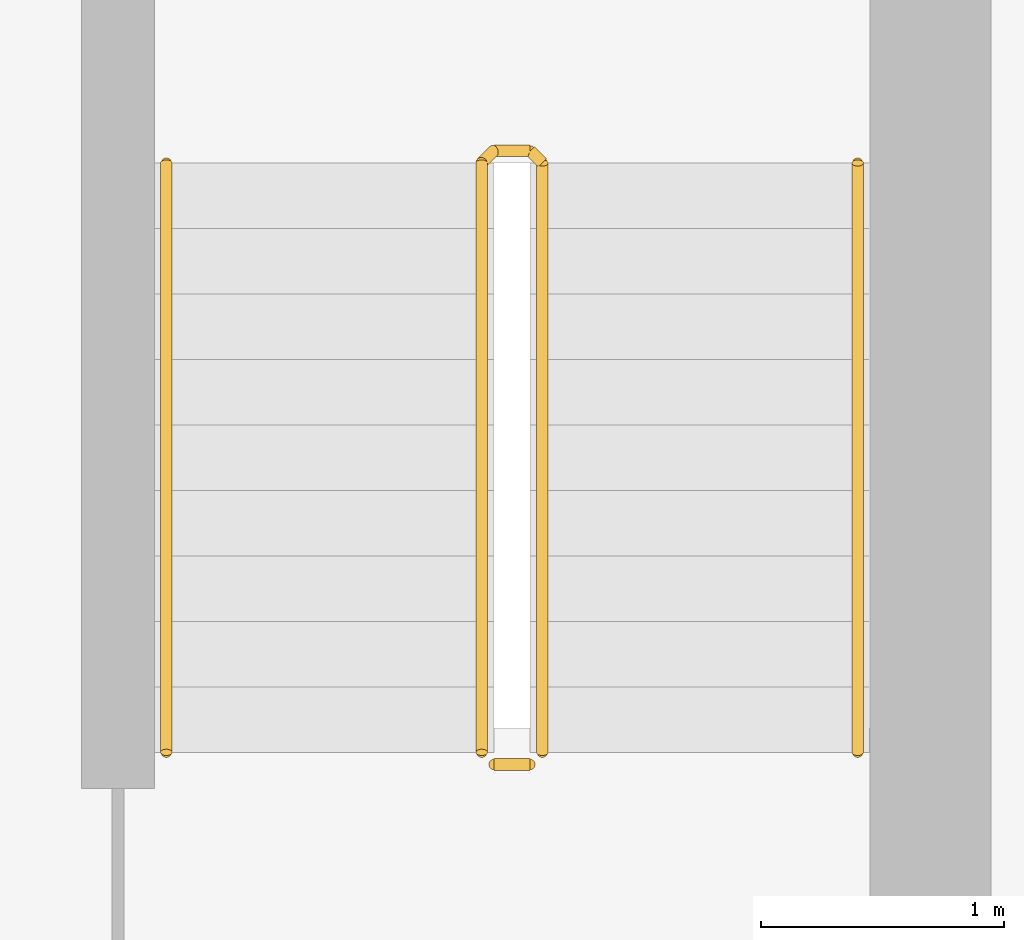
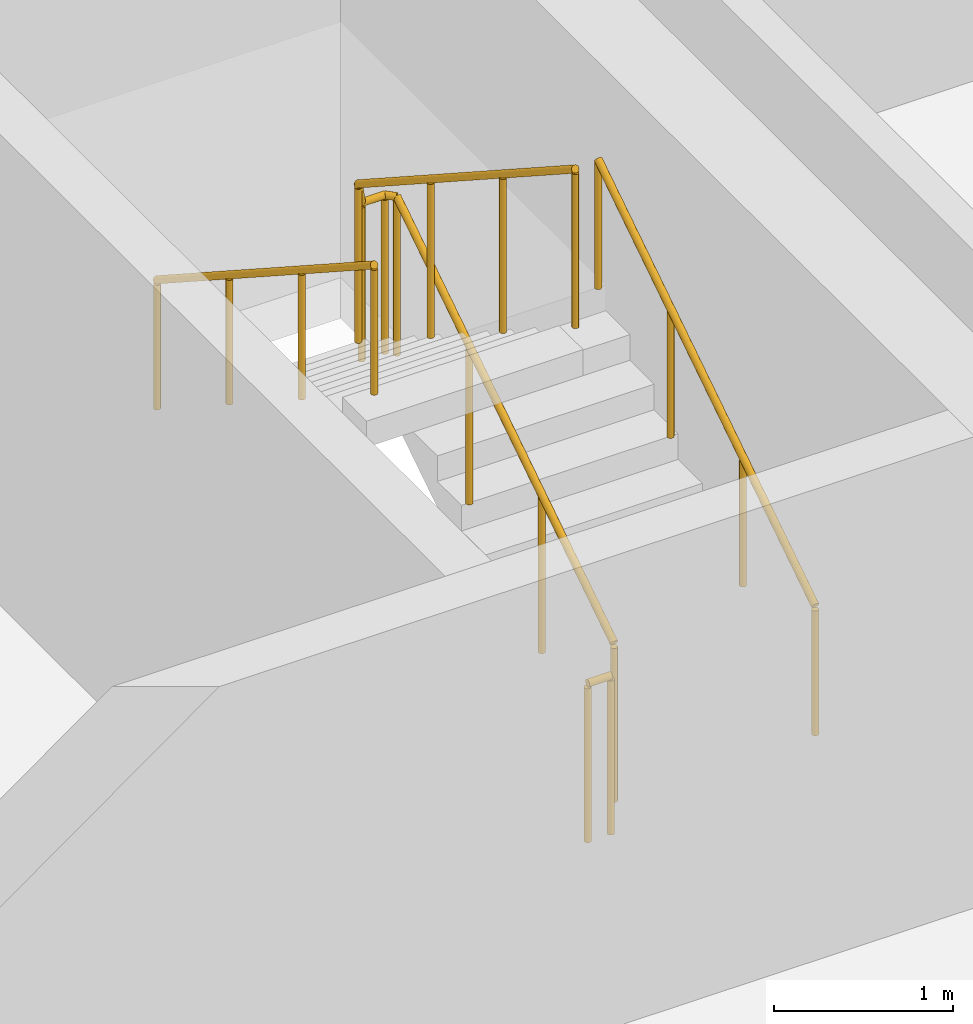
# One storey, part 15 of 18: 4 railings.
"""IFC4 building model written with IfcOpenShell, lengths in metres."""

import ifcopenshell
import ifcopenshell.guid

model = None  # the IFC model being written
_history = None  # IfcOwnerHistory: only IFC2X3 demands one
_inside = {}  # id of a spatial element -> (the spatial element, [elements in it])
_under = {}  # id of a project, library or spatial element -> (it, [spatial elements below it])
_declared = {}  # id of a project -> (the project, [libraries it declares])
_typed = {}  # id of a type object -> (the type object, [elements of that type])
_made_of = {}  # id of a material, layer set ... -> (it, [elements and type objects made of it])


def new_model(schema):
    """Start an empty IFC model of exactly this schema.

    Asked for "IFC4X3", IfcOpenShell would pick the latest addendum, in which some entities
    have other attributes; the version numbers below select the first issue.
    IFC2X3 requires an IfcOwnerHistory on every rooted entity: one is made here for all.
    """
    global model, _history
    if schema == "IFC4X3":
        model = ifcopenshell.file(schema_version=(4, 3, 0, 0))
    else:
        model = ifcopenshell.file(schema=schema)
    _inside.clear()
    _under.clear()
    _declared.clear()
    _typed.clear()
    _made_of.clear()
    _history = None
    if model.schema == "IFC2X3":
        org = make("IfcOrganization", Name="unknown")
        user = make(
            "IfcPersonAndOrganization",
            ThePerson=make("IfcPerson", FamilyName="unknown"),
            TheOrganization=org,
        )
        app = make(
            "IfcApplication",
            ApplicationDeveloper=org,
            Version="unknown",
            ApplicationFullName="unknown",
            ApplicationIdentifier="unknown",
        )
        _history = make(
            "IfcOwnerHistory",
            OwningUser=user,
            OwningApplication=app,
            ChangeAction="ADDED",
            CreationDate=0,
        )
    return model


def make(cls, **values):
    """One entity of the class cls with the attributes given. An attribute that is None is left unset."""
    return model.create_entity(
        cls, **{name: value for name, value in values.items() if value is not None}
    )


def rooted(cls, **values):
    """An entity with a GlobalId (a new one), such as an element, a storey or a relation."""
    return make(cls, GlobalId=ifcopenshell.guid.new(), OwnerHistory=_history, **values)


def si_unit(unit_type, name, prefix=None):
    """IfcSIUnit, for example si_unit("LENGTHUNIT", "METRE", prefix="MILLI")."""
    return make("IfcSIUnit", UnitType=unit_type, Prefix=prefix, Name=name)


def assignment(units):
    """IfcUnitAssignment: the units of a project."""
    return None if units is None else make("IfcUnitAssignment", Units=units)


def point(xyz):
    """IfcCartesianPoint."""
    return None if xyz is None else make("IfcCartesianPoint", Coordinates=xyz)


def direction(xyz):
    """IfcDirection."""
    return None if xyz is None else make("IfcDirection", DirectionRatios=xyz)


def frame(location, z_axis=None, x_axis=None):
    """IfcAxis2Placement3D, a coordinate frame: its origin and axes. An axis left out is left unset."""
    return make(
        "IfcAxis2Placement3D",
        Location=point(location),
        Axis=direction(z_axis),
        RefDirection=direction(x_axis),
    )


def frame_2d(location, x_axis=None):
    """IfcAxis2Placement2D, a coordinate frame in the plane: its origin and x axis."""
    return make(
        "IfcAxis2Placement2D", Location=point(location), RefDirection=direction(x_axis)
    )


def origin():
    """The frame at (0, 0, 0) with its axes left unset."""
    return frame((0.0, 0.0, 0.0))


def origin_2d():
    """The frame at (0, 0) in the plane with its x axis left unset."""
    return frame_2d((0.0, 0.0))


def place(relative_to, where):
    """IfcLocalPlacement: puts the frame where relative to a parent placement (None: the world)."""
    return make(
        "IfcLocalPlacement", PlacementRelTo=relative_to, RelativePlacement=where
    )


def context(
    kind, dimensions, precision=None, world=None, true_north=None, identifier=None
):
    """IfcGeometricRepresentationContext, for example the 3D "Model" context."""
    return make(
        "IfcGeometricRepresentationContext",
        ContextIdentifier=identifier,
        ContextType=kind,
        CoordinateSpaceDimension=dimensions,
        Precision=precision,
        WorldCoordinateSystem=world,
        TrueNorth=true_north,
    )


def subcontext(parent, identifier, kind, view, scale=None):
    """IfcGeometricRepresentationSubContext, for example "Body" below "Model"."""
    return make(
        "IfcGeometricRepresentationSubContext",
        ContextIdentifier=identifier,
        ContextType=kind,
        ParentContext=parent,
        TargetScale=scale,
        TargetView=view,
    )


def project(units=None, contexts=None):
    """IfcProject with its units and contexts."""
    return rooted(
        "IfcProject",
        Name="project",
        RepresentationContexts=contexts,
        UnitsInContext=assignment(units),
    )


def spatial(cls, under=None, at=None, **own):
    """A site, building, storey or space (cls), placed at a placement, below another one or the project."""
    s = rooted(cls, ObjectPlacement=at, **own)
    if under is not None:
        _under.setdefault(under.id(), (under, []))[1].append(s)
    return s


def profile(cls, at=None, kind="AREA", **sizes):
    """A parametric profile (cls). Its sizes go by their IFC names, for example OverallWidth=200.0."""
    return make(cls, ProfileType=kind, Position=at, **sizes)


def circle(**sizes):
    """IfcCircleProfileDef."""
    return profile("IfcCircleProfileDef", **sizes)


def extrude(swept, where, along, depth):
    """IfcExtrudedAreaSolid: the profile swept, set in the frame where, extruded along a direction by depth."""
    return make(
        "IfcExtrudedAreaSolid",
        SweptArea=swept,
        Position=where,
        ExtrudedDirection=direction(along),
        Depth=depth,
    )


def shape(context_of_items, identifier, shape_type, items):
    """IfcShapeRepresentation: the items that make up one representation, for example the "Body"."""
    return make(
        "IfcShapeRepresentation",
        ContextOfItems=context_of_items,
        RepresentationIdentifier=identifier,
        RepresentationType=shape_type,
        Items=items,
    )


def material(Name=None, Category=None):
    """IfcMaterial."""
    return make("IfcMaterial", Name=Name, Category=Category)


def made_of(thing, what):
    """Note that an element or type object is made of a material, layer set ...; save() writes the relation."""
    if what is not None:
        _made_of.setdefault(what.id(), (what, []))[1].append(thing)
    return thing


def type_object(cls, material=None, **own):
    """A type object (cls), such as IfcWallType, which elements share."""
    return made_of(rooted(cls, **own), material)


def element(
    cls,
    number,
    at=None,
    inside=None,
    cuts=None,
    type_object=None,
    material=None,
    context=None,
    identifier="Body",
    shape_type=None,
    held_by="IfcProductDefinitionShape",
    body=None,
    shapes=None,
    **own,
):
    """One element of the class cls, such as IfcWall. Its Tag is "e" and its number.

    at: its placement. inside: the storey or other place that contains it. cuts: it is an
    opening in that element (IfcRelVoidsElement). A single representation is given by context,
    identifier, shape_type and body (its items); several are given by shapes. held_by: the class
    of the entity that holds the representations. save() writes the other relations.
    """
    e = rooted(cls, Tag="e%d" % number, ObjectPlacement=at, **own)
    if body is not None:
        shapes = [shape(context, identifier, shape_type, body)]
    if shapes is not None:
        e.Representation = make(held_by, Representations=shapes)
    if inside is not None:
        _inside.setdefault(inside.id(), (inside, []))[1].append(e)
    if cuts is not None:
        rooted(
            "IfcRelVoidsElement", RelatingBuildingElement=cuts, RelatedOpeningElement=e
        )
    if type_object is not None:
        _typed.setdefault(type_object.id(), (type_object, []))[1].append(e)
    return made_of(e, material)


def aggregate(whole, parts):
    """IfcRelAggregates: a whole, such as a stair, and the parts it consists of."""
    return rooted("IfcRelAggregates", RelatingObject=whole, RelatedObjects=parts)


def save(model, path):
    """Write the relations noted so far, then the file.

    IfcRelAggregates (storeys below a building ...), IfcRelContainedInSpatialStructure (elements
    in a storey), IfcRelDefinesByType, IfcRelAssociatesMaterial and IfcRelDeclares: one each for
    every whole, place, type object, material and project.
    """
    for whole, parts in _under.values():
        aggregate(whole, parts)
    for where, things in _inside.values():
        rooted(
            "IfcRelContainedInSpatialStructure",
            RelatedElements=things,
            RelatingStructure=where,
        )
    for kind, things in _typed.values():
        rooted("IfcRelDefinesByType", RelatedObjects=things, RelatingType=kind)
    for what, things in _made_of.values():
        rooted("IfcRelAssociatesMaterial", RelatedObjects=things, RelatingMaterial=what)
    for by, libraries in _declared.values():
        rooted("IfcRelDeclares", RelatingContext=by, RelatedDefinitions=libraries)
    model.write(path)


model = new_model("IFC4")

# Units and contexts
model_context = context("Model", 3, precision=1e-05, world=origin(), true_north=direction((0.0, 1.0)))
body_context = subcontext(model_context, "Body", "Model", "MODEL_VIEW")
ifc_project = project(units=[si_unit("LENGTHUNIT", "METRE"), si_unit("AREAUNIT", "SQUARE_METRE"), si_unit("VOLUMEUNIT", "CUBIC_METRE"), si_unit("PLANEANGLEUNIT", "RADIAN"), si_unit("MASSUNIT", "GRAM", prefix="KILO")], contexts=[model_context])

# Site, building, storey
site_placement = place(None, origin())
site = spatial("IfcSite", under=ifc_project, at=site_placement, CompositionType="ELEMENT")
building_placement = place(site_placement, origin())
building = spatial("IfcBuilding", under=site, at=building_placement, Name="Saffron Iwan Residences", CompositionType="ELEMENT")
storey_placement = place(building_placement, frame((0.0, 0.0, 257.0)))
storey = spatial("IfcBuildingStorey", under=building, at=storey_placement, Name="L69", CompositionType="ELEMENT", Elevation=257.0)

# Railings
ifc_material_1 = material(Name="Steel S355", Category="steel")
railing_type_1 = type_object("IfcRailingType", Name="Stair guard 1100", PredefinedType="GUARDRAIL", material=ifc_material_1)
railing_1_placement = place(storey_placement, frame((69.75, 67.85009765625, 0.175048828125)))
element("IfcRailing", 1, at=railing_1_placement, inside=storey, type_object=railing_type_1, Name="L69 ST-E stair guard 1", PredefinedType="GUARDRAIL", context=body_context, shape_type="SweptSolid", body=[
    extrude(circle(Radius=0.02392578125, at=origin_2d()), frame((0.0, 0.0, 1.076171875), z_axis=(0.0, 0.839153699163, 0.543894354798), x_axis=(-1.0, 0.0, 0.0)), (0.0, 0.0, 1.0), 2.895751953125),
    extrude(circle(Radius=0.02392578125, at=origin_2d()), frame((0.0, 2.429931640625, 2.65087890625), z_axis=(-0.707106781187, 0.707106781187, 0.0), x_axis=(-0.707106781187, -0.707106781187, 0.0)), (0.0, 0.0, 1.0), 0.07080078125),
    extrude(circle(Radius=0.02392578125, at=origin_2d()), frame((-0.050048828125, 2.47998046875, 2.65087890625), z_axis=(-1.0, 0.0, 0.0), x_axis=(0.0, -1.0, 0.0)), (0.0, 0.0, 1.0), 0.14990234375),
    extrude(circle(Radius=0.02392578125, at=origin_2d()), frame((-0.199951171875, 2.47998046875, 2.65087890625), z_axis=(-0.265065253269, -0.265065253269, 0.927081885822), x_axis=(0.707106781187, -0.707106781187, 0.0)), (0.0, 0.0, 1.0), 0.188720703125),
    extrude(circle(Radius=0.02392578125, at=origin_2d()), frame((-0.25, 2.429931640625, 2.826171875), z_axis=(0.0, -0.839153699163, 0.543894354798), x_axis=(1.0, 0.0, 0.0)), (0.0, 0.0, 1.0), 2.895751953125),
    extrude(circle(Radius=0.02099609375, at=origin_2d()), origin(), (0.0, 0.0, 1.0), 1.052001953125),
    extrude(circle(Radius=0.02099609375, at=origin_2d()), frame((0.0, 0.81005859375, 0.52490234375)), (0.0, 0.0, 1.0), 1.052001953125),
    extrude(circle(Radius=0.02099609375, at=origin_2d()), frame((0.0, 1.619873046875, 1.050048828125)), (0.0, 0.0, 1.0), 1.052001953125),
    extrude(circle(Radius=0.02099609375, at=origin_2d()), frame((0.0, 2.429931640625, 1.574951171875)), (0.0, 0.0, 1.0), 1.052001953125),
    extrude(circle(Radius=0.02099609375, at=origin_2d()), frame((-0.050048828125, 2.47998046875, 1.574951171875)), (0.0, 0.0, 1.0), 1.052001953125),
    extrude(circle(Radius=0.02099609375, at=origin_2d()), frame((-0.199951171875, 2.47998046875, 1.574951171875)), (0.0, 0.0, 1.0), 1.052001953125),
    extrude(circle(Radius=0.02099609375, at=origin_2d()), frame((-0.25, 2.429931640625, 1.75)), (0.0, 0.0, 1.0), 1.052001953125),
    extrude(circle(Radius=0.02099609375, at=origin_2d()), frame((-0.25, 1.619873046875, 2.27490234375)), (0.0, 0.0, 1.0), 1.052001953125),
    extrude(circle(Radius=0.02099609375, at=origin_2d()), frame((-0.25, 0.81005859375, 2.800048828125)), (0.0, 0.0, 1.0), 1.052001953125),
    extrude(circle(Radius=0.02099609375, at=origin_2d()), frame((-0.25, 0.0, 3.324951171875)), (0.0, 0.0, 1.0), 1.052001953125),
])
railing_2_placement = place(storey_placement, frame((69.699951171875, 67.800048828125, 0.0)))
element("IfcRailing", 2, at=railing_2_placement, inside=storey, type_object=railing_type_1, Name="L69 ST-E stair guard 2", PredefinedType="GUARDRAIL", context=body_context, shape_type="SweptSolid", body=[
    extrude(circle(Radius=0.02392578125, at=origin_2d()), frame((0.0, 0.0, 1.076171875), z_axis=(-1.0, 0.0, 0.0), x_axis=(0.0, -1.0, 0.0)), (0.0, 0.0, 1.0), 0.14990234375),
    extrude(circle(Radius=0.02099609375, at=origin_2d()), origin(), (0.0, 0.0, 1.0), 1.052001953125),
    extrude(circle(Radius=0.02099609375, at=origin_2d()), frame((-0.14990234375, 0.0, 0.0)), (0.0, 0.0, 1.0), 1.052001953125),
])
ifc_material_2 = material(Name="Stainless steel 316", Category="steel")
railing_type_2 = type_object("IfcRailingType", Name="Stair handrail 900", PredefinedType="HANDRAIL", material=ifc_material_2)
railing_3_placement = place(storey_placement, frame((71.050048828125, 67.85009765625, 0.175048828125)))
element("IfcRailing", 3, at=railing_3_placement, inside=storey, type_object=railing_type_2, Name="L69 ST-E stair handrail 1", PredefinedType="HANDRAIL", context=body_context, shape_type="SweptSolid", body=[
    extrude(circle(Radius=0.02392578125, at=origin_2d()), frame((0.0, 0.0, 0.8759765625), z_axis=(0.0, 0.839153699163, 0.543894354798), x_axis=(-1.0, 0.0, 0.0)), (0.0, 0.0, 1.0), 2.895751953125),
    extrude(circle(Radius=0.02099609375, at=origin_2d()), origin(), (0.0, 0.0, 1.0), 0.851806640625),
    extrude(circle(Radius=0.02099609375, at=origin_2d()), frame((0.0, 0.81005859375, 0.52490234375)), (0.0, 0.0, 1.0), 0.851806640625),
    extrude(circle(Radius=0.02099609375, at=origin_2d()), frame((0.0, 1.619873046875, 1.050048828125)), (0.0, 0.0, 1.0), 0.851806640625),
    extrude(circle(Radius=0.02099609375, at=origin_2d()), frame((0.0, 2.429931640625, 1.574951171875)), (0.0, 0.0, 1.0), 0.851806640625),
])
railing_4_placement = place(storey_placement, frame((68.199951171875, 70.280029296875, 1.925048828125)))
element("IfcRailing", 4, at=railing_4_placement, inside=storey, type_object=railing_type_2, Name="L69 ST-E stair handrail 2", PredefinedType="HANDRAIL", context=body_context, shape_type="SweptSolid", body=[
    extrude(circle(Radius=0.02392578125, at=origin_2d()), frame((0.0, 0.0, 0.8759765625), z_axis=(0.0, -0.839153699163, 0.543894354798), x_axis=(1.0, 0.0, 0.0)), (0.0, 0.0, 1.0), 2.895751953125),
    extrude(circle(Radius=0.02099609375, at=origin_2d()), origin(), (0.0, 0.0, 1.0), 0.851806640625),
    extrude(circle(Radius=0.02099609375, at=origin_2d()), frame((0.0, -0.81005859375, 0.52490234375)), (0.0, 0.0, 1.0), 0.851806640625),
    extrude(circle(Radius=0.02099609375, at=origin_2d()), frame((0.0, -1.619873046875, 1.050048828125)), (0.0, 0.0, 1.0), 0.851806640625),
    extrude(circle(Radius=0.02099609375, at=origin_2d()), frame((0.0, -2.429931640625, 1.574951171875)), (0.0, 0.0, 1.0), 0.851806640625),
])

save(model, "model.ifc")
